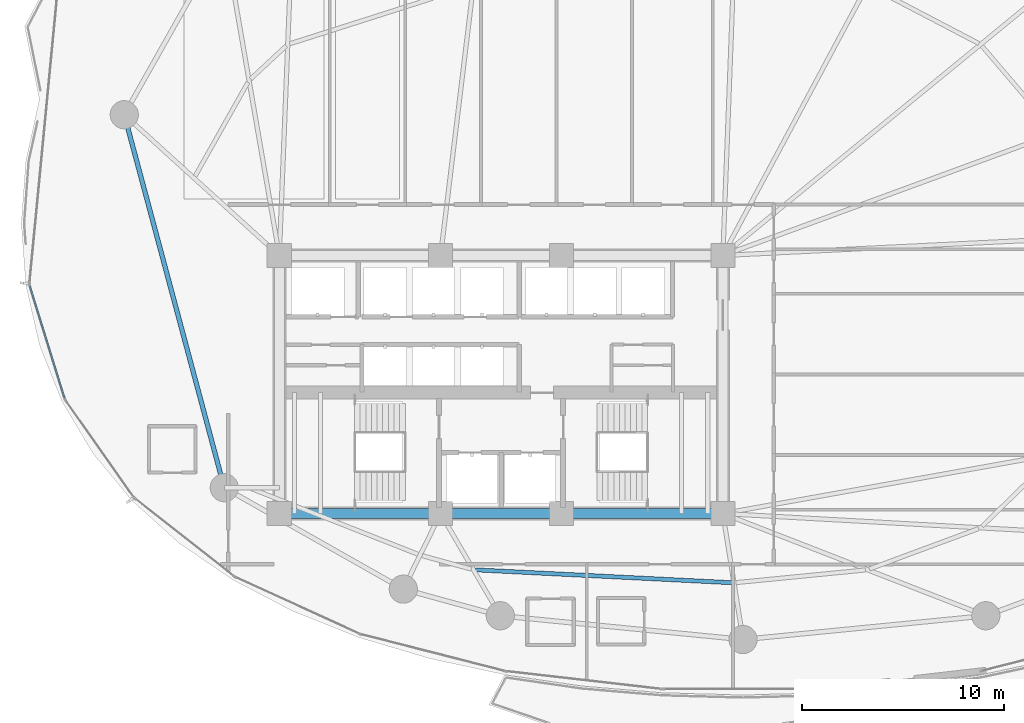
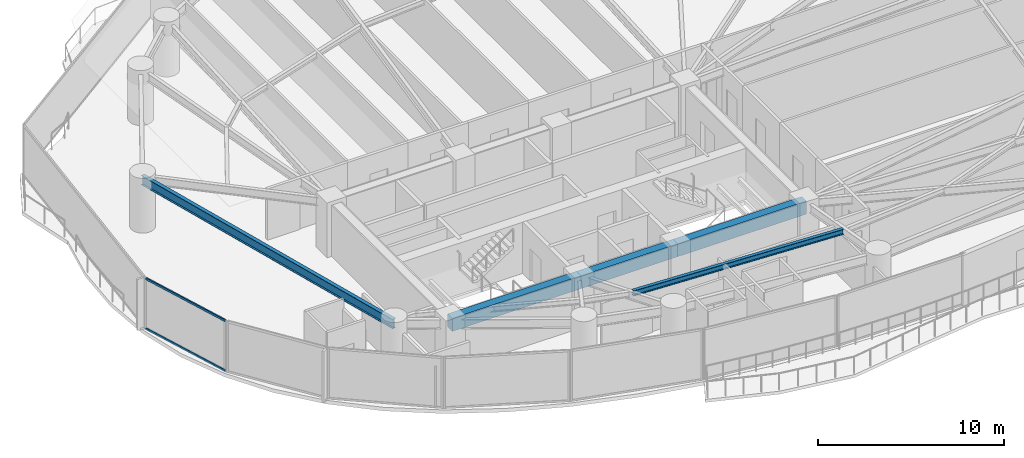
# One storey, part 7 of 32: 5 beams, 2 members, 1 element without a shape of its own.
"""IFC4 building model written with IfcOpenShell, lengths in metres."""

from ifc_helpers import new_model, si_unit, direction, frame, origin, origin_2d, place, context, subcontext, project, spatial, rectangle, hollow_rectangle, i_section, extrude, material, layer, layer_set, material_profile, profile_set, type_object, element, aggregate, save


model = new_model("IFC4")

# Units and contexts
model_context = context("Model", 3, precision=1e-05, world=origin(), true_north=direction((0.0, 1.0)))
body_context = subcontext(model_context, "Body", "Model", "MODEL_VIEW")
ifc_project = project(units=[si_unit("LENGTHUNIT", "METRE"), si_unit("AREAUNIT", "SQUARE_METRE"), si_unit("VOLUMEUNIT", "CUBIC_METRE"), si_unit("PLANEANGLEUNIT", "RADIAN"), si_unit("MASSUNIT", "GRAM", prefix="KILO")], contexts=[model_context])

# Site, building, storey
site_placement = place(None, origin())
site = spatial("IfcSite", under=ifc_project, at=site_placement, CompositionType="ELEMENT")
building_placement = place(site_placement, origin())
building = spatial("IfcBuilding", under=site, at=building_placement, Name="Kazevale Care Tower and Concert Hall", CompositionType="ELEMENT")
storey_placement = place(building_placement, frame((0.0, 0.0, 42.0)))
storey = spatial("IfcBuildingStorey", under=building, at=storey_placement, Name="L10", CompositionType="ELEMENT", Elevation=42.0)

# Curtain wall, members
ifc_material_1 = material(Name="Aluminium 6063-T6 and Low-E Glass", Category="aluminium")
ifc_layer = layer(ifc_material_1, 0.179931640625)
ifc_layer_set = layer_set([ifc_layer], Name="Aluminium 6063-T6 and Low-E Glass")
curtain_wall_type = type_object("IfcCurtainWallType", Name="Waist & Upper Residential Curtain Wall CW-4", PredefinedType="NOTDEFINED", material=ifc_layer_set)
curtain_wall_placement = place(storey_placement, origin())
curtain_wall = element("IfcCurtainWall", 1, at=curtain_wall_placement, inside=storey, type_object=curtain_wall_type, Name="cw:L10:f12", PredefinedType="NOTDEFINED")
ifc_material_2 = material(Name="Aluminium 6063-T6", Category="aluminium")
ifc_material_profile_1 = material_profile(ifc_material_2, hollow_rectangle(XDim=0.080078125, YDim=0.139892578125, WallThickness=0.00390625, at=origin_2d()), Name="ALU80x140x4")
ifc_profile_set_1 = profile_set([ifc_material_profile_1], Name="Aluminium 6063-T6")
member_type = type_object("IfcMemberType", Name="CW-4 Transom ALU80x140x4", PredefinedType="USERDEFINED", material=ifc_profile_set_1)
member_1_placement = place(storey_placement, frame((11.347412109375, 29.33447265625, 0.0400390625), z_axis=(-0.296117563823, 0.955151500232, 0.0), x_axis=(-0.955151500232, -0.296117563823, 0.0)))
member_1 = element("IfcMember", 2, at=member_1_placement, type_object=member_type, Name="CW-4 transom 1.1", ObjectType="TRANSOM", PredefinedType="USERDEFINED", context=body_context, shape_type="SweptSolid", body=[
    extrude(hollow_rectangle(XDim=0.080078125, YDim=0.139892578125, WallThickness=0.00390625, at=origin_2d()), origin(), (0.0, 0.0, 1.0), 5.8076171875),
])
member_2_placement = place(storey_placement, frame((11.347412109375, 29.33447265625, 3.320068359375), z_axis=(-0.296117563823, 0.955151500232, 0.0), x_axis=(-0.955151500232, -0.296117563823, 0.0)))
member_2 = element("IfcMember", 3, at=member_2_placement, type_object=member_type, Name="CW-4 transom 1.2", ObjectType="TRANSOM", PredefinedType="USERDEFINED", context=body_context, shape_type="SweptSolid", body=[
    extrude(hollow_rectangle(XDim=0.080078125, YDim=0.139892578125, WallThickness=0.00390625, at=origin_2d()), origin(), (0.0, 0.0, 1.0), 5.8076171875),
])
aggregate(curtain_wall, [member_1, member_2])

# Beams
ifc_material_3 = material(Name="Concrete C60", Category="concrete")
ifc_material_profile_2 = material_profile(ifc_material_3, rectangle(XDim=0.5, YDim=0.85009765625, at=origin_2d()), Name="RC-B500x850")
ifc_profile_set_2 = profile_set([ifc_material_profile_2], Name="Concrete C60")
beam_type_1 = type_object("IfcBeamType", Name="Core Coupling Beam RC500x850", PredefinedType="LINTEL", material=ifc_profile_set_2)
beam_1_placement = place(storey_placement, frame((22.0, 23.60009765625, 2.93505859375), z_axis=(1.0, 0.0, 0.0), x_axis=(0.0, 1.0, 0.0)))
element("IfcBeam", 4, at=beam_1_placement, inside=storey, type_object=beam_type_1, Name="beam:L10:coretie:1", PredefinedType="LINTEL", context=body_context, shape_type="SweptSolid", body=[
    extrude(rectangle(XDim=0.5, YDim=0.85009765625, at=origin_2d()), origin(), (0.0, 0.0, 1.0), 8.0),
])
beam_2_placement = place(storey_placement, frame((30.0, 23.60009765625, 2.93505859375), z_axis=(1.0, 0.0, 0.0), x_axis=(0.0, 1.0, 0.0)))
element("IfcBeam", 5, at=beam_2_placement, inside=storey, type_object=beam_type_1, Name="beam:L10:coretie:2", PredefinedType="LINTEL", context=body_context, shape_type="SweptSolid", body=[
    extrude(rectangle(XDim=0.5, YDim=0.85009765625, at=origin_2d()), origin(), (0.0, 0.0, 1.0), 6.0),
])
beam_3_placement = place(storey_placement, frame((36.0, 23.60009765625, 2.93505859375), z_axis=(1.0, 0.0, 0.0), x_axis=(0.0, 1.0, 0.0)))
element("IfcBeam", 6, at=beam_3_placement, inside=storey, type_object=beam_type_1, Name="beam:L10:coretie:3", PredefinedType="LINTEL", context=body_context, shape_type="SweptSolid", body=[
    extrude(rectangle(XDim=0.5, YDim=0.85009765625, at=origin_2d()), origin(), (0.0, 0.0, 1.0), 8.0),
])
ifc_material_4 = material(Name="Steel ASTM A572 Gr 50", Category="steel")
ifc_material_profile_3 = material_profile(ifc_material_4, i_section(OverallWidth=0.22900390625, OverallDepth=0.612060546875, WebThickness=0.011962890625, FlangeThickness=0.01953125, at=origin_2d()), Name="W610x125")
ifc_profile_set_3 = profile_set([ifc_material_profile_3], Name="Steel ASTM A572 Gr 50")
beam_type_2 = type_object("IfcBeamType", Name="Ring Spandrel Beam W610x125", PredefinedType="SPANDREL", material=ifc_profile_set_3)
beam_4_placement = place(storey_placement, frame((14.31005859375, 43.3798828125, 3.053955078125), z_axis=(0.258960352031, -0.965887952133, 0.0), x_axis=(0.965887952133, 0.258960352031, 0.0)))
element("IfcBeam", 7, at=beam_4_placement, inside=storey, type_object=beam_type_2, Name="beam:L10:ring:09", PredefinedType="SPANDREL", context=body_context, shape_type="SweptSolid", body=[
    extrude(i_section(OverallWidth=0.22900390625, OverallDepth=0.612060546875, WebThickness=0.011962890625, FlangeThickness=0.01953125, at=origin_2d()), origin(), (0.0, 0.0, 1.0), 19.1533203125),
])
ifc_material_profile_4 = material_profile(ifc_material_4, i_section(OverallWidth=0.205078125, OverallDepth=0.35400390625, WebThickness=0.009521484375, FlangeThickness=0.016845703125, at=origin_2d()), Name="W360x79")
ifc_profile_set_4 = profile_set([ifc_material_profile_4], Name="Steel ASTM A572 Gr 50")
beam_type_3 = type_object("IfcBeamType", Name="Secondary Floor Joist W360x79", PredefinedType="JOIST", material=ifc_profile_set_4)
beam_5_placement = place(storey_placement, frame((31.73291015625, 20.805908203125, 3.18310546875), z_axis=(0.998743186005, -0.050120339262, 0.0), x_axis=(0.050120339262, 0.998743186005, 0.0)))
element("IfcBeam", 8, at=beam_5_placement, inside=storey, type_object=beam_type_3, Name="beam:L10:joist:12", PredefinedType="JOIST", context=body_context, shape_type="SweptSolid", body=[
    extrude(i_section(OverallWidth=0.205078125, OverallDepth=0.35400390625, WebThickness=0.009521484375, FlangeThickness=0.016845703125, at=origin_2d()), origin(), (0.0, 0.0, 1.0), 12.728271484375),
])

save(model, "model.ifc")
